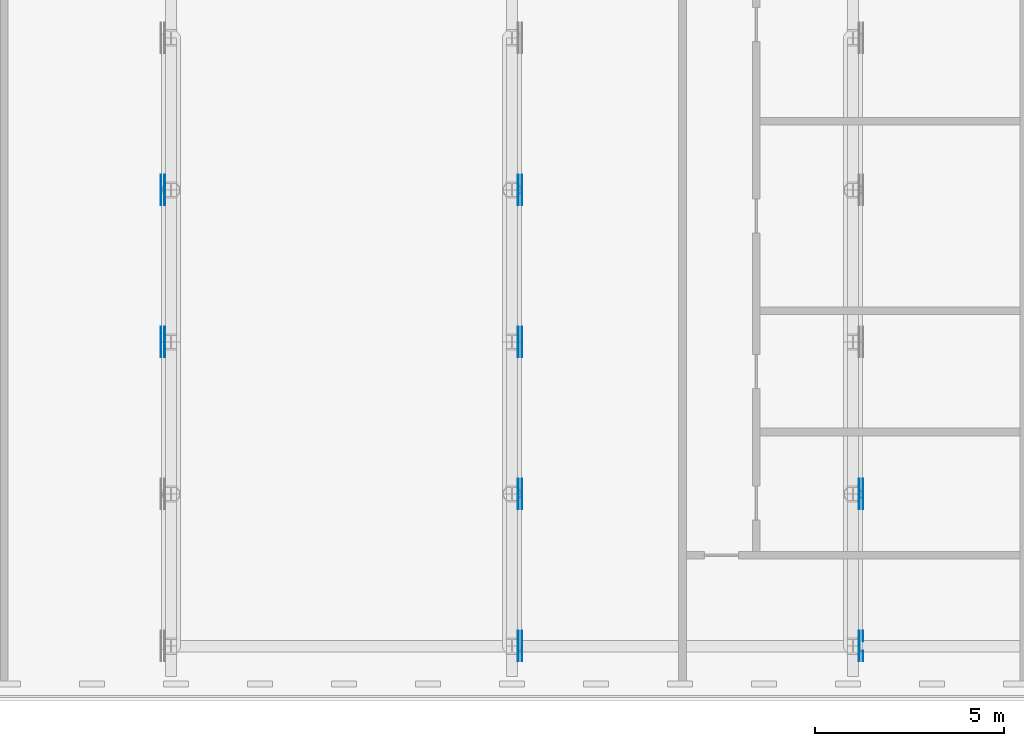
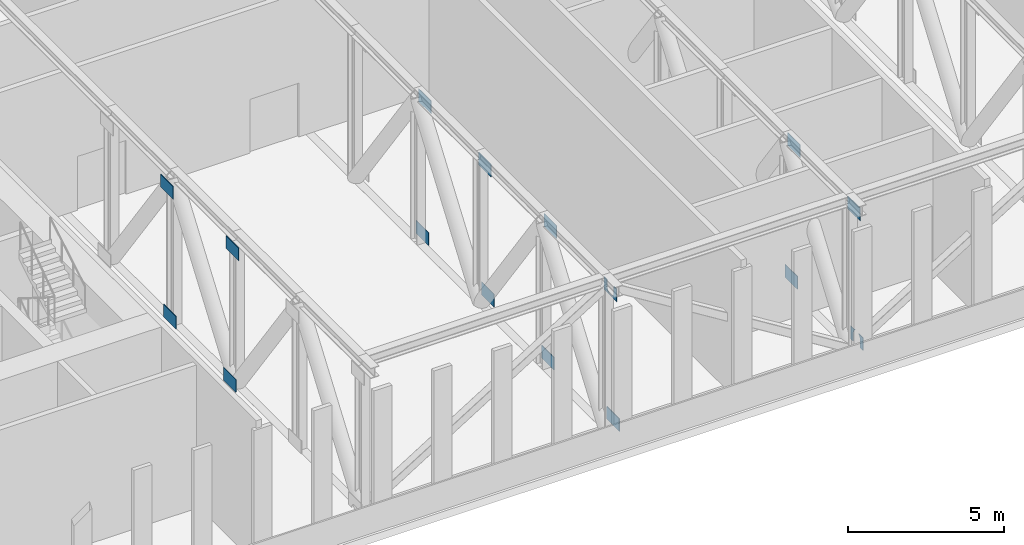
# One storey, part 11 of 26: 17 discrete accessories.
"""IFC4 building model written with IfcOpenShell, lengths in metres."""

from ifc_helpers import new_model, si_unit, direction, frame, origin, place, context, subcontext, project, spatial, polyline, outline, extrude, material, layer, layer_set, type_object, element, save


model = new_model("IFC4")

# Units and contexts
model_context = context("Model", 3, precision=1e-05, world=origin(), true_north=direction((0.0, 1.0)))
body_context = subcontext(model_context, "Body", "Model", "MODEL_VIEW")
ifc_project = project(units=[si_unit("LENGTHUNIT", "METRE"), si_unit("AREAUNIT", "SQUARE_METRE"), si_unit("VOLUMEUNIT", "CUBIC_METRE"), si_unit("PLANEANGLEUNIT", "RADIAN"), si_unit("MASSUNIT", "GRAM", prefix="KILO")], contexts=[model_context])

# Site, building, storey
site_placement = place(None, origin())
site = spatial("IfcSite", under=ifc_project, at=site_placement, CompositionType="ELEMENT")
building_placement = place(site_placement, origin())
building = spatial("IfcBuilding", under=site, at=building_placement, Name="Kajstack Hotel Tower", CompositionType="ELEMENT")
storey_placement = place(building_placement, frame((0.0, 0.0, 47.0)))
storey = spatial("IfcBuildingStorey", under=building, at=storey_placement, Name="L07", CompositionType="ELEMENT", Elevation=47.0)

# Discrete accessories
ifc_material = material(Name="Steel S355J2", Category="steel")
ifc_layer = layer(ifc_material, 0.02001953125)
ifc_layer_set = layer_set([ifc_layer], Name="GUSSET PLATE")
discrete_accessory_type = type_object("IfcDiscreteAccessoryType", Name="GUSSET PLATE", PredefinedType="BRACKET", material=ifc_layer_set)
for number, where, z_axis, x_axis, name in (
    (1, (-9.27392578125, -12.52490234375, 0.0), (1.0, 0.0, 0.0), (0.0, 1.0, 0.0), "Gusset plate L07-047"),
    (2, (-9.173583984375, -12.52490234375, 5.10009765625), (1.0, 0.0, 0.0), (0.0, 1.0, 0.0), "Gusset plate L07-048"),
    (3, (-9.173583984375, -8.512451171875, 0.0), (1.0, 0.0, 0.0), (0.0, 1.0, 0.0), "Gusset plate L07-049"),
    (4, (-9.27392578125, -8.512451171875, 5.10009765625), (1.0, 0.0, 0.0), (0.0, 1.0, 0.0), "Gusset plate L07-050"),
    (5, (0.25390625, -20.550048828125, 0.0), (1.0, 0.0, 0.0), (0.0, 1.0, 0.0), "Gusset plate L07-064"),
):
    element("IfcDiscreteAccessory", number, at=place(storey_placement, frame(where, z_axis=z_axis, x_axis=x_axis)), inside=storey, type_object=discrete_accessory_type, Name=name, PredefinedType="BRACKET", context=body_context, shape_type="SweptSolid", body=[
        extrude(outline(polyline([(-0.39990234375, 0.0), (0.39990234375, 0.0), (0.39990234375, 0.5), (-0.39990234375, 0.5), (-0.39990234375, 0.0)])), origin(), (0.0, 0.0, 1.0), 0.02001953125),
    ])
discrete_accessory_1_placement = place(storey_placement, frame((0.153564453125, -20.550048828125, 5.10009765625), z_axis=(1.0, 0.0, 0.0), x_axis=(0.0, 1.0, 0.0)))
element("IfcDiscreteAccessory", 6, at=discrete_accessory_1_placement, inside=storey, type_object=discrete_accessory_type, Name="Gusset plate L07-065", PredefinedType="BRACKET", context=body_context, shape_type="SweptSolid", body=[
    extrude(outline(polyline([(0.39990234375, 0.5), (0.22216796875, 0.5), (0.22119140625, 0.230224609375), (0.2177734375, 0.208740234375), (0.212646484375, 0.1875), (0.205322265625, 0.1669921875), (0.19580078125, 0.147216796875), (0.184814453125, 0.128662109375), (0.171630859375, 0.111083984375), (0.156982421875, 0.094970703125), (0.140869140625, 0.080322265625), (0.12353515625, 0.0673828125), (0.104736328125, 0.05615234375), (0.0849609375, 0.046875), (0.064453125, 0.03955078125), (0.04345703125, 0.0341796875), (0.021728515625, 0.031005859375), (0.0, 0.02978515625), (-0.021728515625, 0.031005859375), (-0.04345703125, 0.0341796875), (-0.064453125, 0.03955078125), (-0.0849609375, 0.046875), (-0.104736328125, 0.05615234375), (-0.12353515625, 0.0673828125), (-0.140869140625, 0.080322265625), (-0.156982421875, 0.094970703125), (-0.171630859375, 0.111083984375), (-0.184814453125, 0.128662109375), (-0.19580078125, 0.147216796875), (-0.205322265625, 0.1669921875), (-0.212646484375, 0.1875), (-0.2177734375, 0.208740234375), (-0.22119140625, 0.230224609375), (-0.22216796875, 0.5), (-0.39990234375, 0.5), (-0.39990234375, 0.0), (0.39990234375, 0.0), (0.39990234375, 0.5)])), origin(), (0.0, 0.0, 1.0), 0.02001953125),
])
for number, where, z_axis, x_axis, name in (
    (7, (0.153564453125, -16.53759765625, 0.0), (1.0, 0.0, 0.0), (0.0, 1.0, 0.0), "Gusset plate L07-066"),
    (8, (0.25390625, -16.53759765625, 5.10009765625), (1.0, 0.0, 0.0), (0.0, 1.0, 0.0), "Gusset plate L07-067"),
    (9, (0.25390625, -12.52490234375, 0.0), (1.0, 0.0, 0.0), (0.0, 1.0, 0.0), "Gusset plate L07-068"),
    (10, (0.153564453125, -12.52490234375, 5.10009765625), (1.0, 0.0, 0.0), (0.0, 1.0, 0.0), "Gusset plate L07-069"),
    (11, (0.153564453125, -8.512451171875, 0.0), (1.0, 0.0, 0.0), (0.0, 1.0, 0.0), "Gusset plate L07-070"),
    (12, (0.25390625, -8.512451171875, 5.10009765625), (1.0, 0.0, 0.0), (0.0, 1.0, 0.0), "Gusset plate L07-071"),
):
    element("IfcDiscreteAccessory", number, at=place(storey_placement, frame(where, z_axis=z_axis, x_axis=x_axis)), inside=storey, type_object=discrete_accessory_type, Name=name, PredefinedType="BRACKET", context=body_context, shape_type="SweptSolid", body=[
        extrude(outline(polyline([(-0.39990234375, 0.0), (0.39990234375, 0.0), (0.39990234375, 0.5), (-0.39990234375, 0.5), (-0.39990234375, 0.0)])), origin(), (0.0, 0.0, 1.0), 0.02001953125),
    ])
discrete_accessory_2_placement = place(storey_placement, frame((9.25390625, -20.550048828125, 0.0), z_axis=(1.0, 0.0, 0.0), x_axis=(0.0, 1.0, 0.0)))
element("IfcDiscreteAccessory", 13, at=discrete_accessory_2_placement, inside=storey, type_object=discrete_accessory_type, Name="Gusset plate L07-084", PredefinedType="BRACKET", context=body_context, shape_type="SweptSolid", body=[
    extrude(outline(polyline([(0.39990234375, 0.5), (0.115478515625, 0.5), (0.140869140625, 0.482177734375), (0.156982421875, 0.467529296875), (0.171630859375, 0.451416015625), (0.184814453125, 0.433837890625), (0.19580078125, 0.415283203125), (0.205322265625, 0.3955078125), (0.212646484375, 0.375), (0.2177734375, 0.353759765625), (0.22119140625, 0.332275390625), (0.22216796875, 0.310546875), (0.22119140625, 0.0), (0.39990234375, 0.0), (0.39990234375, 0.5)])), origin(), (0.0, 0.0, 1.0), 0.02001953125),
])
discrete_accessory_3_placement = place(storey_placement, frame((9.25390625, -20.550048828125, 0.0), z_axis=(1.0, 0.0, 0.0), x_axis=(0.0, 1.0, 0.0)))
element("IfcDiscreteAccessory", 14, at=discrete_accessory_3_placement, inside=storey, type_object=discrete_accessory_type, Name="Gusset plate L07-085", PredefinedType="BRACKET", context=body_context, shape_type="SweptSolid", body=[
    extrude(outline(polyline([(-0.39990234375, 0.0), (-0.22119140625, 0.0), (-0.22216796875, 0.310546875), (-0.22119140625, 0.332275390625), (-0.2177734375, 0.353759765625), (-0.212646484375, 0.375), (-0.205322265625, 0.3955078125), (-0.19580078125, 0.415283203125), (-0.184814453125, 0.433837890625), (-0.171630859375, 0.451416015625), (-0.156982421875, 0.467529296875), (-0.140869140625, 0.482177734375), (-0.115478515625, 0.5), (-0.39990234375, 0.5), (-0.39990234375, 0.0)])), origin(), (0.0, 0.0, 1.0), 0.02001953125),
])
for number, where, z_axis, x_axis, name in (
    (15, (9.153564453125, -20.550048828125, 5.10009765625), (1.0, 0.0, 0.0), (0.0, 1.0, 0.0), "Gusset plate L07-086"),
    (16, (9.153564453125, -16.53759765625, 0.0), (1.0, 0.0, 0.0), (0.0, 1.0, 0.0), "Gusset plate L07-087"),
    (17, (9.25390625, -16.53759765625, 5.10009765625), (1.0, 0.0, 0.0), (0.0, 1.0, 0.0), "Gusset plate L07-088"),
):
    element("IfcDiscreteAccessory", number, at=place(storey_placement, frame(where, z_axis=z_axis, x_axis=x_axis)), inside=storey, type_object=discrete_accessory_type, Name=name, PredefinedType="BRACKET", context=body_context, shape_type="SweptSolid", body=[
        extrude(outline(polyline([(-0.39990234375, 0.0), (0.39990234375, 0.0), (0.39990234375, 0.5), (-0.39990234375, 0.5), (-0.39990234375, 0.0)])), origin(), (0.0, 0.0, 1.0), 0.02001953125),
    ])

save(model, "model.ifc")
